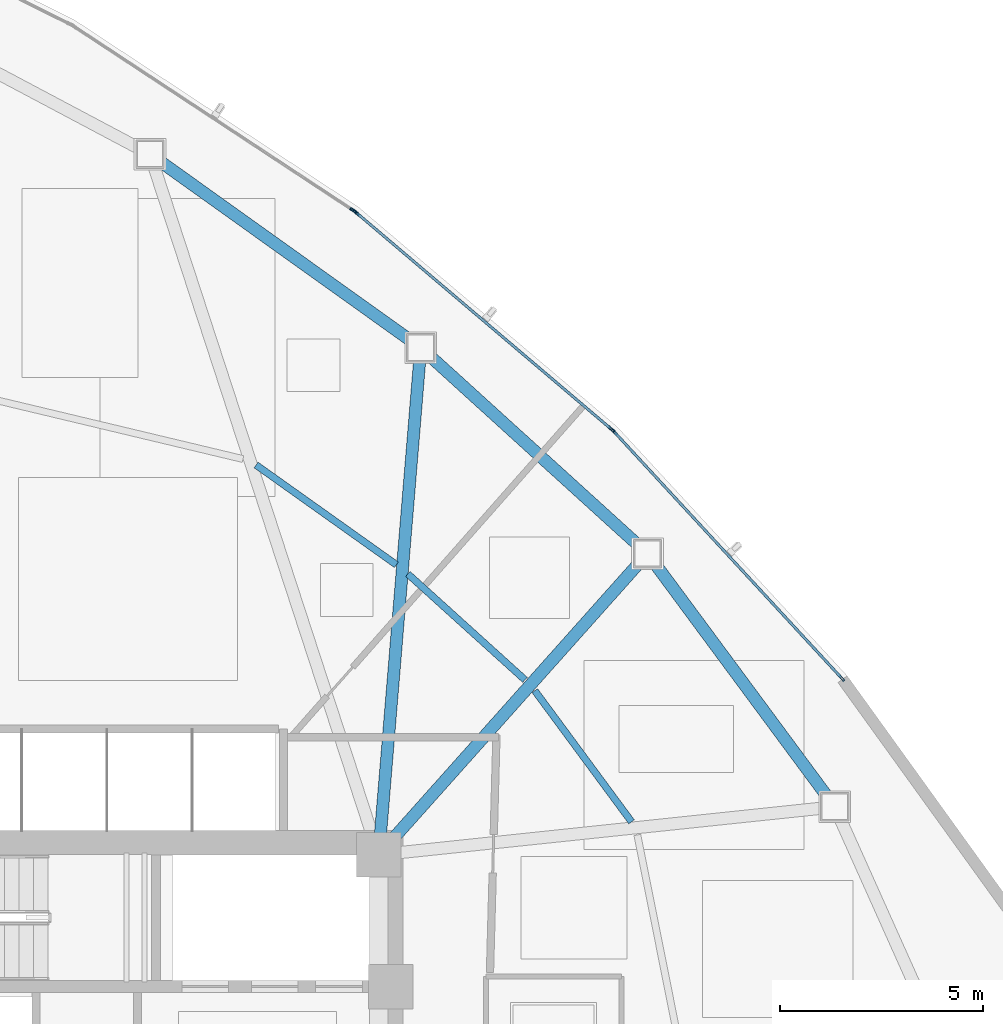
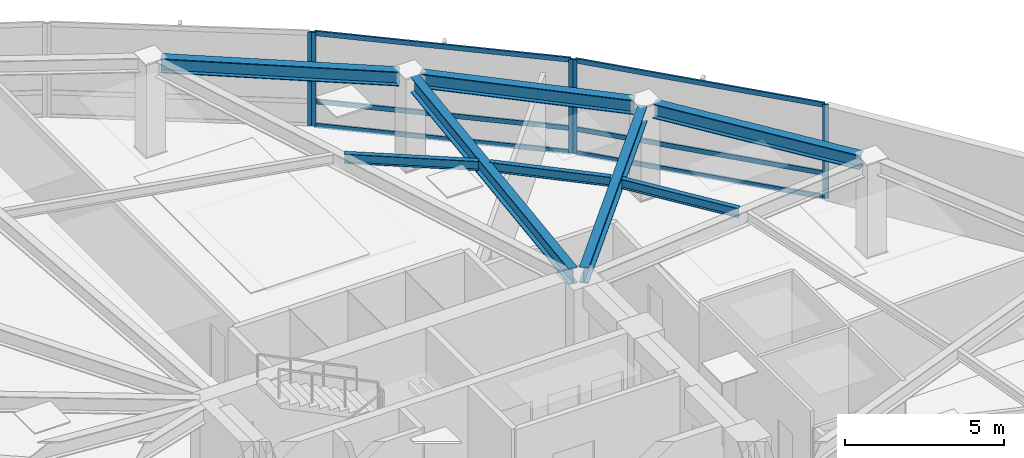
# One storey, part 9 of 17: 11 members, 8 beams, 3 elements without a shape of their own.
"""IFC4 building model written with IfcOpenShell, lengths in metres."""

from ifc_helpers import new_model, si_unit, direction, frame, origin, origin_2d, place, context, subcontext, project, spatial, hollow_rectangle, i_section, extrude, source, transform, mapped, material, layer, layer_set, material_profile, profile_set, type_object, type_shapes, element, aggregate, save


model = new_model("IFC4")

# Units and contexts
model_context = context("Model", 3, precision=1e-05, world=origin(), true_north=direction((0.0, 1.0)))
body_context = subcontext(model_context, "Body", "Model", "MODEL_VIEW")
ifc_project = project(units=[si_unit("LENGTHUNIT", "METRE"), si_unit("AREAUNIT", "SQUARE_METRE"), si_unit("VOLUMEUNIT", "CUBIC_METRE"), si_unit("PLANEANGLEUNIT", "RADIAN"), si_unit("MASSUNIT", "GRAM", prefix="KILO")], contexts=[model_context])

# Site, building, storey
site_placement = place(None, origin())
site = spatial("IfcSite", under=ifc_project, at=site_placement, CompositionType="ELEMENT")
building_placement = place(site_placement, origin())
building = spatial("IfcBuilding", under=site, at=building_placement, Name="Tavelor Broadcast Tower", CompositionType="ELEMENT")
storey_placement = place(building_placement, frame((0.0, 0.0, 93.89990234375)))
storey = spatial("IfcBuildingStorey", under=building, at=storey_placement, Name="L22", CompositionType="ELEMENT", Elevation=93.89990234375)

# Beams
ifc_material_1 = material(Name="Steel S355", Category="steel")
ifc_material_profile_1 = material_profile(ifc_material_1, i_section(OverallWidth=0.169921875, OverallDepth=0.360107421875, WebThickness=0.008056640625, FlangeThickness=0.0126953125, at=origin_2d()), Name="IPE 360")
ifc_profile_set_1 = profile_set([ifc_material_profile_1], Name="Steel S355")
beam_type_1 = type_object("IfcBeamType", Name="Composite Floor Joist T2 IPE 360", PredefinedType="JOIST", material=ifc_profile_set_1)
beam_1_placement = place(storey_placement, frame((62.831298828125, 52.012451171875, 3.420166015625), z_axis=(-0.593748309908, 0.804650821463, 0.0), x_axis=(-0.804650821463, -0.593748309908, 0.0)))
element("IfcBeam", 1, at=beam_1_placement, inside=storey, type_object=beam_type_1, Name="L22 Secondary Composite Floor Joist 15", PredefinedType="JOIST", context=body_context, shape_type="SweptSolid", body=[
    extrude(i_section(OverallWidth=0.169921875, OverallDepth=0.360107421875, WebThickness=0.008056640625, FlangeThickness=0.0126953125, at=origin_2d()), origin(), (0.0, 0.0, 1.0), 4.016845703125),
])
beam_2_placement = place(storey_placement, frame((60.20458984375, 55.51171875, 3.420166015625), z_axis=(-0.741870075826, 0.670543653011, 0.0), x_axis=(-0.670543653011, -0.741870075826, 0.0)))
element("IfcBeam", 2, at=beam_2_placement, inside=storey, type_object=beam_type_1, Name="L22 Secondary Composite Floor Joist 16", PredefinedType="JOIST", context=body_context, shape_type="SweptSolid", body=[
    extrude(i_section(OverallWidth=0.169921875, OverallDepth=0.360107421875, WebThickness=0.008056640625, FlangeThickness=0.0126953125, at=origin_2d()), origin(), (0.0, 0.0, 1.0), 3.891845703125),
])
beam_3_placement = place(storey_placement, frame((57.03564453125, 58.34765625, 3.420166015625), z_axis=(-0.814948080737, 0.579533972864, 0.0), x_axis=(-0.579533972864, -0.814948080737, 0.0)))
element("IfcBeam", 3, at=beam_3_placement, inside=storey, type_object=beam_type_1, Name="L22 Secondary Composite Floor Joist 17", PredefinedType="JOIST", context=body_context, shape_type="SweptSolid", body=[
    extrude(i_section(OverallWidth=0.169921875, OverallDepth=0.360107421875, WebThickness=0.008056640625, FlangeThickness=0.0126953125, at=origin_2d()), origin(), (0.0, 0.0, 1.0), 4.24462890625),
])
ifc_material_profile_2 = material_profile(ifc_material_1, i_section(OverallWidth=0.300048828125, OverallDepth=0.550048828125, WebThickness=0.014892578125, FlangeThickness=0.029052734375, at=origin_2d()), Name="HEB 550")
ifc_profile_set_2 = profile_set([ifc_material_profile_2], Name="Steel S355")
beam_type_2 = type_object("IfcBeamType", Name="Perimeter Spandrel Beam T2 HEB 550", PredefinedType="SPANDREL", material=ifc_profile_set_2)
beam_4_placement = place(storey_placement, frame((67.640869140625, 52.652587890625, 3.3251953125), z_axis=(-0.594676591659, 0.803965018724, 0.0), x_axis=(-0.803965018724, -0.594676591659, 0.0)))
element("IfcBeam", 4, at=beam_4_placement, inside=storey, type_object=beam_type_2, Name="L22 Framed-Tube Ring Spandrel 15", PredefinedType="SPANDREL", context=body_context, shape_type="SweptSolid", body=[
    extrude(i_section(OverallWidth=0.300048828125, OverallDepth=0.550048828125, WebThickness=0.014892578125, FlangeThickness=0.029052734375, at=origin_2d()), origin(), (0.0, 0.0, 1.0), 7.09130859375),
])
beam_5_placement = place(storey_placement, frame((62.975341796875, 58.849609375, 3.3251953125), z_axis=(-0.740416987409, 0.672147814663, 0.0), x_axis=(-0.672147814663, -0.740416987409, 0.0)))
element("IfcBeam", 5, at=beam_5_placement, inside=storey, type_object=beam_type_2, Name="L22 Framed-Tube Ring Spandrel 16", PredefinedType="SPANDREL", context=body_context, shape_type="SweptSolid", body=[
    extrude(i_section(OverallWidth=0.300048828125, OverallDepth=0.550048828125, WebThickness=0.014892578125, FlangeThickness=0.029052734375, at=origin_2d()), origin(), (0.0, 0.0, 1.0), 6.876953125),
])
beam_6_placement = place(storey_placement, frame((57.361572265625, 63.893310546875, 3.3251953125), z_axis=(-0.813492458128, 0.581575464208, 0.0), x_axis=(-0.581575464208, -0.813492458128, 0.0)))
element("IfcBeam", 6, at=beam_6_placement, inside=storey, type_object=beam_type_2, Name="L22 Framed-Tube Ring Spandrel 17", PredefinedType="SPANDREL", context=body_context, shape_type="SweptSolid", body=[
    extrude(i_section(OverallWidth=0.300048828125, OverallDepth=0.550048828125, WebThickness=0.014892578125, FlangeThickness=0.029052734375, at=origin_2d()), origin(), (0.0, 0.0, 1.0), 7.531005859375),
])
ifc_material_profile_3 = material_profile(ifc_material_1, i_section(OverallWidth=0.300048828125, OverallDepth=0.60009765625, WebThickness=0.015380859375, FlangeThickness=0.030029296875, at=origin_2d()), Name="HEB 600")
ifc_profile_set_3 = profile_set([ifc_material_profile_3], Name="Steel S355")
beam_type_3 = type_object("IfcBeamType", Name="Radial Floor Girder T2 HEB 600", PredefinedType="BEAM", material=ifc_profile_set_3)
beam_7_placement = place(storey_placement, frame((56.951416015625, 51.593994140625, 3.300048828125), z_axis=(0.665778646807, 0.74614931043, 0.0), x_axis=(-0.74614931043, 0.665778646807, 0.0)))
element("IfcBeam", 7, at=beam_7_placement, inside=storey, type_object=beam_type_3, Name="L22 Radial Primary Floor Girder 16", PredefinedType="BEAM", context=body_context, shape_type="SweptSolid", body=[
    extrude(i_section(OverallWidth=0.300048828125, OverallDepth=0.60009765625, WebThickness=0.015380859375, FlangeThickness=0.030029296875, at=origin_2d()), origin(), (0.0, 0.0, 1.0), 9.085693359375),
])
beam_8_placement = place(storey_placement, frame((56.6435546875, 51.726318359375, 3.300048828125), z_axis=(0.082528077466, 0.996588739867, 0.0), x_axis=(-0.996588739867, 0.082528077466, 0.0)))
element("IfcBeam", 8, at=beam_8_placement, inside=storey, type_object=beam_type_3, Name="L22 Radial Primary Floor Girder 17", PredefinedType="BEAM", context=body_context, shape_type="SweptSolid", body=[
    extrude(i_section(OverallWidth=0.300048828125, OverallDepth=0.60009765625, WebThickness=0.015380859375, FlangeThickness=0.030029296875, at=origin_2d()), origin(), (0.0, 0.0, 1.0), 11.67626953125),
])

# Curtain wall, members
ifc_material_2 = material(Name="Architectural Anodized Aluminium", Category="aluminium")
ifc_layer = layer(ifc_material_2, 0.179931640625)
ifc_layer_set = layer_set([ifc_layer], Name="Architectural Anodized Aluminium")
curtain_wall_type = type_object("IfcCurtainWallType", Name="Tower Low-Zone Unitised Curtain Wall CW02", PredefinedType="NOTDEFINED", material=ifc_layer_set)
curtain_wall_1_placement = place(storey_placement, origin())
curtain_wall_1 = element("IfcCurtainWall", 9, at=curtain_wall_1_placement, inside=storey, type_object=curtain_wall_type, Name="L22 Curtain Wall CW02 Run 225", PredefinedType="NOTDEFINED")
ifc_material_profile_4 = material_profile(ifc_material_2, hollow_rectangle(XDim=0.06494140625, YDim=0.179931640625, WallThickness=0.02197265625, at=origin_2d()), Name="RHS 65x180x22")
ifc_profile_set_4 = profile_set([ifc_material_profile_4], Name="Architectural Anodized Aluminium")
member_type_1 = type_object("IfcMemberType", Name="CW02 Extruded Aluminium Mullion 65x180", PredefinedType="MULLION", material=ifc_profile_set_4)
shared_shape_1 = source(origin(), body_context, "Body", "SweptSolid", [
    extrude(hollow_rectangle(XDim=0.06494140625, YDim=0.179931640625, WallThickness=0.02197265625, at=origin_2d()), origin(), (0.0, 0.0, 1.0), 3.60009765625),
])
type_shapes(member_type_1, [shared_shape_1])
member_1_placement = place(storey_placement, frame((68.01416015625, 55.548583984375, 0.0), z_axis=(0.0, 0.0, 1.0), x_axis=(-0.734610614935, -0.678488942006, 0.0)))
member_1 = element("IfcMember", 10, at=member_1_placement, type_object=member_type_1, Name="CW02 mullion 1", PredefinedType="MULLION", context=body_context, shape_type="MappedRepresentation", body=[
    mapped(shared_shape_1, transform((0.0, 0.0, 0.0), scale=1.0)),
])
member_2_placement = place(storey_placement, frame((62.405029296875, 61.621337890625, 0.0), z_axis=(0.0, 0.0, 1.0), x_axis=(-0.734610614935, -0.678488942006, 0.0)))
member_2 = element("IfcMember", 11, at=member_2_placement, type_object=member_type_1, Name="CW02 mullion 2", PredefinedType="MULLION", context=body_context, shape_type="MappedRepresentation", body=[
    mapped(shared_shape_1, transform((0.0, 0.0, 0.0), scale=1.0)),
])

curtain_wall_2_placement = place(storey_placement, origin())
curtain_wall_2 = element("IfcCurtainWall", 12, at=curtain_wall_2_placement, inside=storey, type_object=curtain_wall_type, Name="L22 Curtain Wall CW02 Run 226", PredefinedType="NOTDEFINED")
member_3_placement = place(storey_placement, frame((62.336669921875, 61.68701171875, 0.0), z_axis=(0.0, 0.0, 1.0), x_axis=(-0.647119158204, -0.762388873925, 0.0)))
member_3 = element("IfcMember", 13, at=member_3_placement, type_object=member_type_1, Name="CW02 mullion 1", PredefinedType="MULLION", context=body_context, shape_type="MappedRepresentation", body=[
    mapped(shared_shape_1, transform((0.0, 0.0, 0.0), scale=1.0)),
])
member_4_placement = place(storey_placement, frame((56.04541015625, 67.027099609375, 0.0), z_axis=(0.0, 0.0, 1.0), x_axis=(-0.647119158204, -0.762388873925, 0.0)))
member_4 = element("IfcMember", 14, at=member_4_placement, type_object=member_type_1, Name="CW02 mullion 2", PredefinedType="MULLION", context=body_context, shape_type="MappedRepresentation", body=[
    mapped(shared_shape_1, transform((0.0, 0.0, 0.0), scale=1.0)),
])

# Curtain wall, member
curtain_wall_3_placement = place(storey_placement, origin())
curtain_wall_3 = element("IfcCurtainWall", 15, at=curtain_wall_3_placement, inside=storey, type_object=curtain_wall_type, Name="L22 Curtain Wall CW02 Run 227", PredefinedType="NOTDEFINED")
member_5_placement = place(storey_placement, frame((55.9697265625, 67.083984375, 0.0), z_axis=(0.0, 0.0, 1.0), x_axis=(-0.550110838645, -0.835091650782, 0.0)))
member_5 = element("IfcMember", 16, at=member_5_placement, type_object=member_type_1, Name="CW02 mullion 1", PredefinedType="MULLION", context=body_context, shape_type="MappedRepresentation", body=[
    mapped(shared_shape_1, transform((0.0, 0.0, 0.0), scale=1.0)),
])
aggregate(curtain_wall_3, [member_5])

# Member
ifc_material_profile_5 = material_profile(ifc_material_2, hollow_rectangle(XDim=0.06494140625, YDim=0.179931640625, WallThickness=0.02197265625, at=origin_2d()), Name="RHS 65x180x22")
ifc_profile_set_5 = profile_set([ifc_material_profile_5], Name="Architectural Anodized Aluminium")
member_type_2 = type_object("IfcMemberType", Name="CW02 Extruded Aluminium Transom 65x180", PredefinedType="USERDEFINED", material=ifc_profile_set_5)
shared_shape_2 = source(origin(), body_context, "Body", "SweptSolid", [
    extrude(hollow_rectangle(XDim=0.06494140625, YDim=0.179931640625, WallThickness=0.02197265625, at=origin_2d()), origin(), (0.0, 0.0, 1.0), 8.18701171875),
])
member_6_placement = place(storey_placement, frame((62.31201171875, 61.708251953125, 0.03271484375), z_axis=(-0.762396782676, 0.647109840572, 0.0), x_axis=(-0.647109840572, -0.762396782676, 0.0)))
member_6 = element("IfcMember", 17, at=member_6_placement, type_object=member_type_2, Name="CW02 transom 1.1", ObjectType="TRANSOM", PredefinedType="USERDEFINED", context=body_context, shape_type="MappedRepresentation", body=[
    mapped(shared_shape_2, transform((0.0, 0.0, 0.0), scale=1.0)),
])

member_7_placement = place(storey_placement, frame((62.31201171875, 61.708251953125, 0.9501953125), z_axis=(-0.762396782676, 0.647109840572, 0.0), x_axis=(-0.647109840572, -0.762396782676, 0.0)))
member_7 = element("IfcMember", 18, at=member_7_placement, type_object=member_type_2, Name="CW02 transom 1.2", ObjectType="TRANSOM", PredefinedType="USERDEFINED", context=body_context, shape_type="MappedRepresentation", body=[
    mapped(shared_shape_2, transform((0.0, 0.0, 0.0), scale=1.0)),
])

member_8_placement = place(storey_placement, frame((62.31201171875, 61.708251953125, 3.567626953125), z_axis=(-0.762396782676, 0.647109840572, 0.0), x_axis=(-0.647109840572, -0.762396782676, 0.0)))
member_8 = element("IfcMember", 19, at=member_8_placement, type_object=member_type_2, Name="CW02 transom 1.3", ObjectType="TRANSOM", PredefinedType="USERDEFINED", context=body_context, shape_type="MappedRepresentation", body=[
    mapped(shared_shape_2, transform((0.0, 0.0, 0.0), scale=1.0)),
])

aggregate(curtain_wall_2, [member_3, member_4, member_6, member_7, member_8])

shared_shape_3 = source(origin(), body_context, "Body", "SweptSolid", [
    extrude(hollow_rectangle(XDim=0.06494140625, YDim=0.179931640625, WallThickness=0.02197265625, at=origin_2d()), origin(), (0.0, 0.0, 1.0), 8.2021484375),
])
type_shapes(member_type_2, [shared_shape_2, shared_shape_3])
member_9_placement = place(storey_placement, frame((67.9921875, 55.572265625, 0.03271484375), z_axis=(-0.678480354394, 0.734618546391, 0.0), x_axis=(-0.734618546391, -0.678480354394, 0.0)))
member_9 = element("IfcMember", 20, at=member_9_placement, type_object=member_type_2, Name="CW02 transom 1.1", ObjectType="TRANSOM", PredefinedType="USERDEFINED", context=body_context, shape_type="MappedRepresentation", body=[
    mapped(shared_shape_3, transform((0.0, 0.0, 0.0), scale=1.0)),
])

member_10_placement = place(storey_placement, frame((67.9921875, 55.572265625, 0.9501953125), z_axis=(-0.678480354394, 0.734618546391, 0.0), x_axis=(-0.734618546391, -0.678480354394, 0.0)))
member_10 = element("IfcMember", 21, at=member_10_placement, type_object=member_type_2, Name="CW02 transom 1.2", ObjectType="TRANSOM", PredefinedType="USERDEFINED", context=body_context, shape_type="MappedRepresentation", body=[
    mapped(shared_shape_3, transform((0.0, 0.0, 0.0), scale=1.0)),
])

member_11_placement = place(storey_placement, frame((67.9921875, 55.572265625, 3.567626953125), z_axis=(-0.678480354394, 0.734618546391, 0.0), x_axis=(-0.734618546391, -0.678480354394, 0.0)))
member_11 = element("IfcMember", 22, at=member_11_placement, type_object=member_type_2, Name="CW02 transom 1.3", ObjectType="TRANSOM", PredefinedType="USERDEFINED", context=body_context, shape_type="MappedRepresentation", body=[
    mapped(shared_shape_3, transform((0.0, 0.0, 0.0), scale=1.0)),
])

aggregate(curtain_wall_1, [member_1, member_2, member_9, member_10, member_11])

save(model, "model.ifc")
